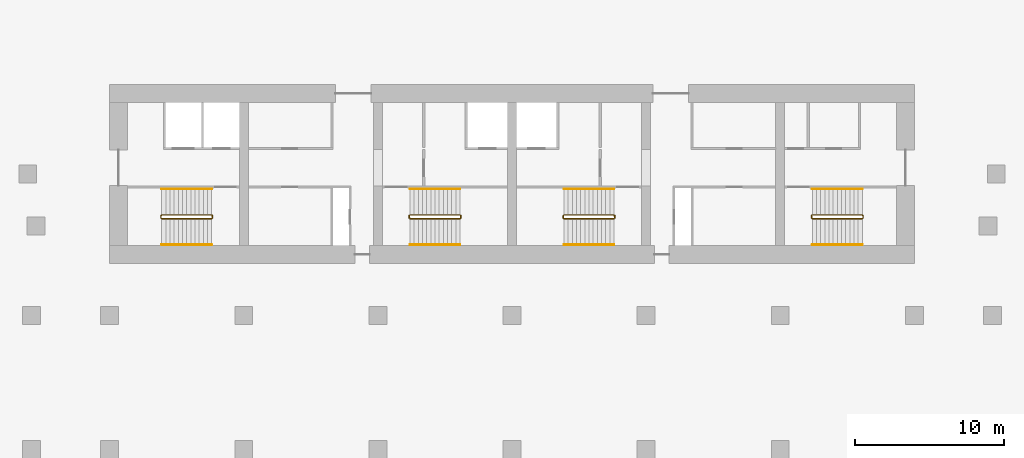
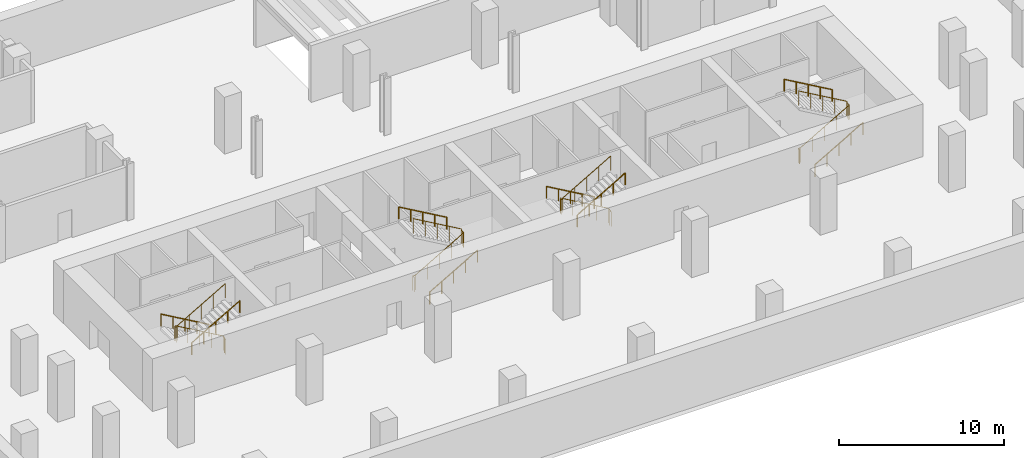
# One storey, part 5 of 5: 12 railings.
"""IFC4 building model written with IfcOpenShell, lengths in metres."""

from ifc_helpers import new_model, si_unit, direction, frame, origin, origin_2d, place, context, subcontext, project, spatial, circle, extrude, material, type_object, element, save


model = new_model("IFC4")

# Units and contexts
model_context = context("Model", 3, precision=1e-05, world=origin(), true_north=direction((0.0, 1.0)))
body_context = subcontext(model_context, "Body", "Model", "MODEL_VIEW")
ifc_project = project(units=[si_unit("LENGTHUNIT", "METRE"), si_unit("AREAUNIT", "SQUARE_METRE"), si_unit("VOLUMEUNIT", "CUBIC_METRE"), si_unit("PLANEANGLEUNIT", "RADIAN"), si_unit("MASSUNIT", "GRAM", prefix="KILO")], contexts=[model_context])

# Site, building, storey
site_placement = place(None, origin())
site = spatial("IfcSite", under=ifc_project, at=site_placement, CompositionType="ELEMENT")
building_placement = place(site_placement, origin())
building = spatial("IfcBuilding", under=site, at=building_placement, Name="Zellij Exchange Tower", CompositionType="ELEMENT")
storey_placement = place(building_placement, frame((0.0, 0.0, -8.39990234375)))
storey = spatial("IfcBuildingStorey", under=building, at=storey_placement, Name="B2", CompositionType="ELEMENT", Elevation=-8.39990234375)

# Railings
ifc_material = material(Name="Stainless steel", Category="steel")
railing_type_1 = type_object("IfcRailingType", Name="CORE-RG stair guard", PredefinedType="GUARDRAIL", material=ifc_material)
railing_1_placement = place(storey_placement, frame((-20.10009765625, -10.800048828125, 0.0)))
element("IfcRailing", 1, at=railing_1_placement, inside=storey, type_object=railing_type_1, Name="ST1 stair guard B2", PredefinedType="GUARDRAIL", context=body_context, shape_type="SweptSolid", body=[
    extrude(circle(Radius=0.02392578125, at=origin_2d()), frame((0.0, 0.0, 1.076171875), z_axis=(0.0, -1.0, 0.0), x_axis=(1.0, 0.0, 0.0)), (0.0, 0.0, 1.0), 0.14990234375),
    extrude(circle(Radius=0.02392578125, at=origin_2d()), frame((0.0, -0.14990234375, 1.076171875), z_axis=(-0.19028906928, 0.763954645788, 0.616573896051), x_axis=(-0.970351222016, -0.241699205484, 0.0)), (0.0, 0.0, 1.0), 0.26171875),
    extrude(circle(Radius=0.02392578125, at=origin_2d()), frame((-0.0498046875, 0.050048828125, 1.2373046875), z_axis=(-0.866190824863, 0.0, 0.499713372768), x_axis=(0.0, -1.0, 0.0)), (0.0, 0.0, 1.0), 3.879150390625),
    extrude(circle(Radius=0.02392578125, at=origin_2d()), frame((-3.409912109375, 0.050048828125, 3.17578125), z_axis=(-0.707106781187, -0.707106781187, 0.0), x_axis=(0.707106781187, -0.707106781187, 0.0)), (0.0, 0.0, 1.0), 0.07080078125),
    extrude(circle(Radius=0.02392578125, at=origin_2d()), frame((-3.4599609375, 0.0, 3.17578125), z_axis=(0.0, -1.0, 0.0), x_axis=(1.0, 0.0, 0.0)), (0.0, 0.0, 1.0), 0.14990234375),
    extrude(circle(Radius=0.02392578125, at=origin_2d()), frame((-3.4599609375, -0.14990234375, 3.17578125), z_axis=(0.283658853137, -0.283658853137, 0.916010540373), x_axis=(0.707106781187, 0.707106781187, 0.0)), (0.0, 0.0, 1.0), 0.176513671875),
    extrude(circle(Radius=0.02392578125, at=origin_2d()), frame((-3.409912109375, -0.199951171875, 3.33740234375), z_axis=(0.866190824863, 0.0, 0.499713372768), x_axis=(0.0, 1.0, 0.0)), (0.0, 0.0, 1.0), 3.879150390625),
    extrude(circle(Radius=0.02099609375, at=origin_2d()), origin(), (0.0, 0.0, 1.0), 1.052001953125),
    extrude(circle(Radius=0.02099609375, at=origin_2d()), frame((0.0, -0.14990234375, 0.0)), (0.0, 0.0, 1.0), 1.052001953125),
    extrude(circle(Radius=0.02099609375, at=origin_2d()), frame((-0.0498046875, 0.050048828125, 0.161376953125)), (0.0, 0.0, 1.0), 1.052001953125),
    extrude(circle(Radius=0.02099609375, at=origin_2d()), frame((-0.889892578125, 0.050048828125, 0.64599609375)), (0.0, 0.0, 1.0), 1.052001953125),
    extrude(circle(Radius=0.02099609375, at=origin_2d()), frame((-1.72998046875, 0.050048828125, 1.130615234375)), (0.0, 0.0, 1.0), 1.052001953125),
    extrude(circle(Radius=0.02099609375, at=origin_2d()), frame((-2.56982421875, 0.050048828125, 1.615234375)), (0.0, 0.0, 1.0), 1.052001953125),
    extrude(circle(Radius=0.02099609375, at=origin_2d()), frame((-3.409912109375, 0.050048828125, 2.099853515625)), (0.0, 0.0, 1.0), 1.052001953125),
    extrude(circle(Radius=0.02099609375, at=origin_2d()), frame((-3.4599609375, 0.0, 2.099853515625)), (0.0, 0.0, 1.0), 1.052001953125),
    extrude(circle(Radius=0.02099609375, at=origin_2d()), frame((-3.4599609375, -0.14990234375, 2.099853515625)), (0.0, 0.0, 1.0), 1.052001953125),
    extrude(circle(Radius=0.02099609375, at=origin_2d()), frame((-3.409912109375, -0.199951171875, 2.261474609375)), (0.0, 0.0, 1.0), 1.052001953125),
    extrude(circle(Radius=0.02099609375, at=origin_2d()), frame((-2.56982421875, -0.199951171875, 2.74609375)), (0.0, 0.0, 1.0), 1.052001953125),
    extrude(circle(Radius=0.02099609375, at=origin_2d()), frame((-1.72998046875, -0.199951171875, 3.230712890625)), (0.0, 0.0, 1.0), 1.052001953125),
    extrude(circle(Radius=0.02099609375, at=origin_2d()), frame((-0.889892578125, -0.199951171875, 3.71533203125)), (0.0, 0.0, 1.0), 1.052001953125),
    extrude(circle(Radius=0.02099609375, at=origin_2d()), frame((-0.0498046875, -0.199951171875, 4.199951171875)), (0.0, 0.0, 1.0), 1.052001953125),
])
railing_2_placement = place(storey_placement, frame((-6.89990234375, -10.949951171875, 0.0)))
element("IfcRailing", 2, at=railing_2_placement, inside=storey, type_object=railing_type_1, Name="ST2 stair guard B2", PredefinedType="GUARDRAIL", context=body_context, shape_type="SweptSolid", body=[
    extrude(circle(Radius=0.02392578125, at=origin_2d()), frame((0.0, 0.0, 1.076171875), z_axis=(0.0, 1.0, 0.0), x_axis=(-1.0, 0.0, 0.0)), (0.0, 0.0, 1.0), 0.14990234375),
    extrude(circle(Radius=0.02392578125, at=origin_2d()), frame((0.0, 0.14990234375, 1.076171875), z_axis=(0.19028906928, -0.763954645788, 0.616573896051), x_axis=(0.970351222016, 0.241699205484, 0.0)), (0.0, 0.0, 1.0), 0.26171875),
    extrude(circle(Radius=0.02392578125, at=origin_2d()), frame((0.0498046875, -0.050048828125, 1.2373046875), z_axis=(0.866190824863, 0.0, 0.499713372768), x_axis=(0.0, 1.0, 0.0)), (0.0, 0.0, 1.0), 3.879150390625),
    extrude(circle(Radius=0.02392578125, at=origin_2d()), frame((3.409912109375, -0.050048828125, 3.17578125), z_axis=(0.707106781187, 0.707106781187, 0.0), x_axis=(-0.707106781187, 0.707106781187, 0.0)), (0.0, 0.0, 1.0), 0.07080078125),
    extrude(circle(Radius=0.02392578125, at=origin_2d()), frame((3.4599609375, 0.0, 3.17578125), z_axis=(0.0, 1.0, 0.0), x_axis=(-1.0, 0.0, 0.0)), (0.0, 0.0, 1.0), 0.14990234375),
    extrude(circle(Radius=0.02392578125, at=origin_2d()), frame((3.4599609375, 0.14990234375, 3.17578125), z_axis=(-0.283658853137, 0.283658853137, 0.916010540373), x_axis=(-0.707106781187, -0.707106781187, 0.0)), (0.0, 0.0, 1.0), 0.176513671875),
    extrude(circle(Radius=0.02392578125, at=origin_2d()), frame((3.409912109375, 0.199951171875, 3.33740234375), z_axis=(-0.866190824863, 0.0, 0.499713372768), x_axis=(0.0, -1.0, 0.0)), (0.0, 0.0, 1.0), 3.879150390625),
    extrude(circle(Radius=0.02099609375, at=origin_2d()), origin(), (0.0, 0.0, 1.0), 1.052001953125),
    extrude(circle(Radius=0.02099609375, at=origin_2d()), frame((0.0, 0.14990234375, 0.0)), (0.0, 0.0, 1.0), 1.052001953125),
    extrude(circle(Radius=0.02099609375, at=origin_2d()), frame((0.0498046875, -0.050048828125, 0.161376953125)), (0.0, 0.0, 1.0), 1.052001953125),
    extrude(circle(Radius=0.02099609375, at=origin_2d()), frame((0.889892578125, -0.050048828125, 0.64599609375)), (0.0, 0.0, 1.0), 1.052001953125),
    extrude(circle(Radius=0.02099609375, at=origin_2d()), frame((1.72998046875, -0.050048828125, 1.130615234375)), (0.0, 0.0, 1.0), 1.052001953125),
    extrude(circle(Radius=0.02099609375, at=origin_2d()), frame((2.56982421875, -0.050048828125, 1.615234375)), (0.0, 0.0, 1.0), 1.052001953125),
    extrude(circle(Radius=0.02099609375, at=origin_2d()), frame((3.409912109375, -0.050048828125, 2.099853515625)), (0.0, 0.0, 1.0), 1.052001953125),
    extrude(circle(Radius=0.02099609375, at=origin_2d()), frame((3.4599609375, 0.0, 2.099853515625)), (0.0, 0.0, 1.0), 1.052001953125),
    extrude(circle(Radius=0.02099609375, at=origin_2d()), frame((3.4599609375, 0.14990234375, 2.099853515625)), (0.0, 0.0, 1.0), 1.052001953125),
    extrude(circle(Radius=0.02099609375, at=origin_2d()), frame((3.409912109375, 0.199951171875, 2.261474609375)), (0.0, 0.0, 1.0), 1.052001953125),
    extrude(circle(Radius=0.02099609375, at=origin_2d()), frame((2.56982421875, 0.199951171875, 2.74609375)), (0.0, 0.0, 1.0), 1.052001953125),
    extrude(circle(Radius=0.02099609375, at=origin_2d()), frame((1.72998046875, 0.199951171875, 3.230712890625)), (0.0, 0.0, 1.0), 1.052001953125),
    extrude(circle(Radius=0.02099609375, at=origin_2d()), frame((0.889892578125, 0.199951171875, 3.71533203125)), (0.0, 0.0, 1.0), 1.052001953125),
    extrude(circle(Radius=0.02099609375, at=origin_2d()), frame((0.0498046875, 0.199951171875, 4.199951171875)), (0.0, 0.0, 1.0), 1.052001953125),
])
railing_3_placement = place(storey_placement, frame((6.89990234375, -10.800048828125, 0.0)))
element("IfcRailing", 3, at=railing_3_placement, inside=storey, type_object=railing_type_1, Name="ST3 stair guard B2", PredefinedType="GUARDRAIL", context=body_context, shape_type="SweptSolid", body=[
    extrude(circle(Radius=0.02392578125, at=origin_2d()), frame((0.0, 0.0, 1.076171875), z_axis=(0.0, -1.0, 0.0), x_axis=(1.0, 0.0, 0.0)), (0.0, 0.0, 1.0), 0.14990234375),
    extrude(circle(Radius=0.02392578125, at=origin_2d()), frame((0.0, -0.14990234375, 1.076171875), z_axis=(-0.19028906928, 0.763954645788, 0.616573896051), x_axis=(-0.970351222016, -0.241699205484, 0.0)), (0.0, 0.0, 1.0), 0.26171875),
    extrude(circle(Radius=0.02392578125, at=origin_2d()), frame((-0.0498046875, 0.050048828125, 1.2373046875), z_axis=(-0.866190824863, 0.0, 0.499713372768), x_axis=(0.0, -1.0, 0.0)), (0.0, 0.0, 1.0), 3.879150390625),
    extrude(circle(Radius=0.02392578125, at=origin_2d()), frame((-3.409912109375, 0.050048828125, 3.17578125), z_axis=(-0.707106781187, -0.707106781187, 0.0), x_axis=(0.707106781187, -0.707106781187, 0.0)), (0.0, 0.0, 1.0), 0.07080078125),
    extrude(circle(Radius=0.02392578125, at=origin_2d()), frame((-3.4599609375, 0.0, 3.17578125), z_axis=(0.0, -1.0, 0.0), x_axis=(1.0, 0.0, 0.0)), (0.0, 0.0, 1.0), 0.14990234375),
    extrude(circle(Radius=0.02392578125, at=origin_2d()), frame((-3.4599609375, -0.14990234375, 3.17578125), z_axis=(0.283658853137, -0.283658853137, 0.916010540373), x_axis=(0.707106781187, 0.707106781187, 0.0)), (0.0, 0.0, 1.0), 0.176513671875),
    extrude(circle(Radius=0.02392578125, at=origin_2d()), frame((-3.409912109375, -0.199951171875, 3.33740234375), z_axis=(0.866190824863, 0.0, 0.499713372768), x_axis=(0.0, 1.0, 0.0)), (0.0, 0.0, 1.0), 3.879150390625),
    extrude(circle(Radius=0.02099609375, at=origin_2d()), origin(), (0.0, 0.0, 1.0), 1.052001953125),
    extrude(circle(Radius=0.02099609375, at=origin_2d()), frame((0.0, -0.14990234375, 0.0)), (0.0, 0.0, 1.0), 1.052001953125),
    extrude(circle(Radius=0.02099609375, at=origin_2d()), frame((-0.0498046875, 0.050048828125, 0.161376953125)), (0.0, 0.0, 1.0), 1.052001953125),
    extrude(circle(Radius=0.02099609375, at=origin_2d()), frame((-0.889892578125, 0.050048828125, 0.64599609375)), (0.0, 0.0, 1.0), 1.052001953125),
    extrude(circle(Radius=0.02099609375, at=origin_2d()), frame((-1.72998046875, 0.050048828125, 1.130615234375)), (0.0, 0.0, 1.0), 1.052001953125),
    extrude(circle(Radius=0.02099609375, at=origin_2d()), frame((-2.56982421875, 0.050048828125, 1.615234375)), (0.0, 0.0, 1.0), 1.052001953125),
    extrude(circle(Radius=0.02099609375, at=origin_2d()), frame((-3.409912109375, 0.050048828125, 2.099853515625)), (0.0, 0.0, 1.0), 1.052001953125),
    extrude(circle(Radius=0.02099609375, at=origin_2d()), frame((-3.4599609375, 0.0, 2.099853515625)), (0.0, 0.0, 1.0), 1.052001953125),
    extrude(circle(Radius=0.02099609375, at=origin_2d()), frame((-3.4599609375, -0.14990234375, 2.099853515625)), (0.0, 0.0, 1.0), 1.052001953125),
    extrude(circle(Radius=0.02099609375, at=origin_2d()), frame((-3.409912109375, -0.199951171875, 2.261474609375)), (0.0, 0.0, 1.0), 1.052001953125),
    extrude(circle(Radius=0.02099609375, at=origin_2d()), frame((-2.56982421875, -0.199951171875, 2.74609375)), (0.0, 0.0, 1.0), 1.052001953125),
    extrude(circle(Radius=0.02099609375, at=origin_2d()), frame((-1.72998046875, -0.199951171875, 3.230712890625)), (0.0, 0.0, 1.0), 1.052001953125),
    extrude(circle(Radius=0.02099609375, at=origin_2d()), frame((-0.889892578125, -0.199951171875, 3.71533203125)), (0.0, 0.0, 1.0), 1.052001953125),
    extrude(circle(Radius=0.02099609375, at=origin_2d()), frame((-0.0498046875, -0.199951171875, 4.199951171875)), (0.0, 0.0, 1.0), 1.052001953125),
])
railing_4_placement = place(storey_placement, frame((20.10009765625, -10.949951171875, 0.0)))
element("IfcRailing", 4, at=railing_4_placement, inside=storey, type_object=railing_type_1, Name="ST4 stair guard B2", PredefinedType="GUARDRAIL", context=body_context, shape_type="SweptSolid", body=[
    extrude(circle(Radius=0.02392578125, at=origin_2d()), frame((0.0, 0.0, 1.076171875), z_axis=(0.0, 1.0, 0.0), x_axis=(-1.0, 0.0, 0.0)), (0.0, 0.0, 1.0), 0.14990234375),
    extrude(circle(Radius=0.02392578125, at=origin_2d()), frame((0.0, 0.14990234375, 1.076171875), z_axis=(0.19028906928, -0.763954645788, 0.616573896051), x_axis=(0.970351222016, 0.241699205484, 0.0)), (0.0, 0.0, 1.0), 0.26171875),
    extrude(circle(Radius=0.02392578125, at=origin_2d()), frame((0.0498046875, -0.050048828125, 1.2373046875), z_axis=(0.866190824863, 0.0, 0.499713372768), x_axis=(0.0, 1.0, 0.0)), (0.0, 0.0, 1.0), 3.879150390625),
    extrude(circle(Radius=0.02392578125, at=origin_2d()), frame((3.409912109375, -0.050048828125, 3.17578125), z_axis=(0.707106781187, 0.707106781187, 0.0), x_axis=(-0.707106781187, 0.707106781187, 0.0)), (0.0, 0.0, 1.0), 0.07080078125),
    extrude(circle(Radius=0.02392578125, at=origin_2d()), frame((3.4599609375, 0.0, 3.17578125), z_axis=(0.0, 1.0, 0.0), x_axis=(-1.0, 0.0, 0.0)), (0.0, 0.0, 1.0), 0.14990234375),
    extrude(circle(Radius=0.02392578125, at=origin_2d()), frame((3.4599609375, 0.14990234375, 3.17578125), z_axis=(-0.283658853137, 0.283658853137, 0.916010540373), x_axis=(-0.707106781187, -0.707106781187, 0.0)), (0.0, 0.0, 1.0), 0.176513671875),
    extrude(circle(Radius=0.02392578125, at=origin_2d()), frame((3.409912109375, 0.199951171875, 3.33740234375), z_axis=(-0.866190824863, 0.0, 0.499713372768), x_axis=(0.0, -1.0, 0.0)), (0.0, 0.0, 1.0), 3.879150390625),
    extrude(circle(Radius=0.02099609375, at=origin_2d()), origin(), (0.0, 0.0, 1.0), 1.052001953125),
    extrude(circle(Radius=0.02099609375, at=origin_2d()), frame((0.0, 0.14990234375, 0.0)), (0.0, 0.0, 1.0), 1.052001953125),
    extrude(circle(Radius=0.02099609375, at=origin_2d()), frame((0.0498046875, -0.050048828125, 0.161376953125)), (0.0, 0.0, 1.0), 1.052001953125),
    extrude(circle(Radius=0.02099609375, at=origin_2d()), frame((0.889892578125, -0.050048828125, 0.64599609375)), (0.0, 0.0, 1.0), 1.052001953125),
    extrude(circle(Radius=0.02099609375, at=origin_2d()), frame((1.72998046875, -0.050048828125, 1.130615234375)), (0.0, 0.0, 1.0), 1.052001953125),
    extrude(circle(Radius=0.02099609375, at=origin_2d()), frame((2.56982421875, -0.050048828125, 1.615234375)), (0.0, 0.0, 1.0), 1.052001953125),
    extrude(circle(Radius=0.02099609375, at=origin_2d()), frame((3.409912109375, -0.050048828125, 2.099853515625)), (0.0, 0.0, 1.0), 1.052001953125),
    extrude(circle(Radius=0.02099609375, at=origin_2d()), frame((3.4599609375, 0.0, 2.099853515625)), (0.0, 0.0, 1.0), 1.052001953125),
    extrude(circle(Radius=0.02099609375, at=origin_2d()), frame((3.4599609375, 0.14990234375, 2.099853515625)), (0.0, 0.0, 1.0), 1.052001953125),
    extrude(circle(Radius=0.02099609375, at=origin_2d()), frame((3.409912109375, 0.199951171875, 2.261474609375)), (0.0, 0.0, 1.0), 1.052001953125),
    extrude(circle(Radius=0.02099609375, at=origin_2d()), frame((2.56982421875, 0.199951171875, 2.74609375)), (0.0, 0.0, 1.0), 1.052001953125),
    extrude(circle(Radius=0.02099609375, at=origin_2d()), frame((1.72998046875, 0.199951171875, 3.230712890625)), (0.0, 0.0, 1.0), 1.052001953125),
    extrude(circle(Radius=0.02099609375, at=origin_2d()), frame((0.889892578125, 0.199951171875, 3.71533203125)), (0.0, 0.0, 1.0), 1.052001953125),
    extrude(circle(Radius=0.02099609375, at=origin_2d()), frame((0.0498046875, 0.199951171875, 4.199951171875)), (0.0, 0.0, 1.0), 1.052001953125),
])
railing_type_2 = type_object("IfcRailingType", Name="CORE-RH stair handrail", PredefinedType="HANDRAIL", material=ifc_material)
railing_5_placement = place(storey_placement, frame((-20.14990234375, -9.0, 0.161376953125)))
element("IfcRailing", 5, at=railing_5_placement, inside=storey, type_object=railing_type_2, Name="ST1 stair handrail B2", PredefinedType="HANDRAIL", context=body_context, shape_type="SweptSolid", body=[
    extrude(circle(Radius=0.02392578125, at=origin_2d()), frame((0.0, 0.0, 0.8759765625), z_axis=(-0.866190824863, 0.0, 0.499713372768), x_axis=(0.0, -1.0, 0.0)), (0.0, 0.0, 1.0), 3.879150390625),
    extrude(circle(Radius=0.02099609375, at=origin_2d()), origin(), (0.0, 0.0, 1.0), 0.851806640625),
    extrude(circle(Radius=0.02099609375, at=origin_2d()), frame((-0.840087890625, 0.0, 0.484619140625)), (0.0, 0.0, 1.0), 0.851806640625),
    extrude(circle(Radius=0.02099609375, at=origin_2d()), frame((-1.68017578125, 0.0, 0.96923828125)), (0.0, 0.0, 1.0), 0.851806640625),
    extrude(circle(Radius=0.02099609375, at=origin_2d()), frame((-2.52001953125, 0.0, 1.453857421875)), (0.0, 0.0, 1.0), 0.851806640625),
    extrude(circle(Radius=0.02099609375, at=origin_2d()), frame((-3.360107421875, 0.0, 1.9384765625)), (0.0, 0.0, 1.0), 0.851806640625),
])
for number, where, name in (
    (6, (-23.510009765625, -12.75, 2.261474609375), "ST1 stair handrail B2"),
    (7, (-6.85009765625, -12.75, 0.161376953125), "ST2 stair handrail B2"),
):
    element("IfcRailing", number, at=place(storey_placement, frame(where)), inside=storey, type_object=railing_type_2, Name=name, PredefinedType="HANDRAIL", context=body_context, shape_type="SweptSolid", body=[
        extrude(circle(Radius=0.02392578125, at=origin_2d()), frame((0.0, 0.0, 0.8759765625), z_axis=(0.866190824863, 0.0, 0.499713372768), x_axis=(0.0, 1.0, 0.0)), (0.0, 0.0, 1.0), 3.879150390625),
        extrude(circle(Radius=0.02099609375, at=origin_2d()), origin(), (0.0, 0.0, 1.0), 0.851806640625),
        extrude(circle(Radius=0.02099609375, at=origin_2d()), frame((0.840087890625, 0.0, 0.484619140625)), (0.0, 0.0, 1.0), 0.851806640625),
        extrude(circle(Radius=0.02099609375, at=origin_2d()), frame((1.68017578125, 0.0, 0.96923828125)), (0.0, 0.0, 1.0), 0.851806640625),
        extrude(circle(Radius=0.02099609375, at=origin_2d()), frame((2.52001953125, 0.0, 1.453857421875)), (0.0, 0.0, 1.0), 0.851806640625),
        extrude(circle(Radius=0.02099609375, at=origin_2d()), frame((3.360107421875, 0.0, 1.9384765625)), (0.0, 0.0, 1.0), 0.851806640625),
    ])
for number, where, name in (
    (8, (-3.489990234375, -9.0, 2.261474609375), "ST2 stair handrail B2"),
    (9, (6.85009765625, -9.0, 0.161376953125), "ST3 stair handrail B2"),
):
    element("IfcRailing", number, at=place(storey_placement, frame(where)), inside=storey, type_object=railing_type_2, Name=name, PredefinedType="HANDRAIL", context=body_context, shape_type="SweptSolid", body=[
        extrude(circle(Radius=0.02392578125, at=origin_2d()), frame((0.0, 0.0, 0.8759765625), z_axis=(-0.866190824863, 0.0, 0.499713372768), x_axis=(0.0, -1.0, 0.0)), (0.0, 0.0, 1.0), 3.879150390625),
        extrude(circle(Radius=0.02099609375, at=origin_2d()), origin(), (0.0, 0.0, 1.0), 0.851806640625),
        extrude(circle(Radius=0.02099609375, at=origin_2d()), frame((-0.840087890625, 0.0, 0.484619140625)), (0.0, 0.0, 1.0), 0.851806640625),
        extrude(circle(Radius=0.02099609375, at=origin_2d()), frame((-1.68017578125, 0.0, 0.96923828125)), (0.0, 0.0, 1.0), 0.851806640625),
        extrude(circle(Radius=0.02099609375, at=origin_2d()), frame((-2.52001953125, 0.0, 1.453857421875)), (0.0, 0.0, 1.0), 0.851806640625),
        extrude(circle(Radius=0.02099609375, at=origin_2d()), frame((-3.360107421875, 0.0, 1.9384765625)), (0.0, 0.0, 1.0), 0.851806640625),
    ])
for number, where, name in (
    (10, (3.489990234375, -12.75, 2.261474609375), "ST3 stair handrail B2"),
    (11, (20.14990234375, -12.75, 0.161376953125), "ST4 stair handrail B2"),
):
    element("IfcRailing", number, at=place(storey_placement, frame(where)), inside=storey, type_object=railing_type_2, Name=name, PredefinedType="HANDRAIL", context=body_context, shape_type="SweptSolid", body=[
        extrude(circle(Radius=0.02392578125, at=origin_2d()), frame((0.0, 0.0, 0.8759765625), z_axis=(0.866190824863, 0.0, 0.499713372768), x_axis=(0.0, 1.0, 0.0)), (0.0, 0.0, 1.0), 3.879150390625),
        extrude(circle(Radius=0.02099609375, at=origin_2d()), origin(), (0.0, 0.0, 1.0), 0.851806640625),
        extrude(circle(Radius=0.02099609375, at=origin_2d()), frame((0.840087890625, 0.0, 0.484619140625)), (0.0, 0.0, 1.0), 0.851806640625),
        extrude(circle(Radius=0.02099609375, at=origin_2d()), frame((1.68017578125, 0.0, 0.96923828125)), (0.0, 0.0, 1.0), 0.851806640625),
        extrude(circle(Radius=0.02099609375, at=origin_2d()), frame((2.52001953125, 0.0, 1.453857421875)), (0.0, 0.0, 1.0), 0.851806640625),
        extrude(circle(Radius=0.02099609375, at=origin_2d()), frame((3.360107421875, 0.0, 1.9384765625)), (0.0, 0.0, 1.0), 0.851806640625),
    ])
railing_6_placement = place(storey_placement, frame((23.510009765625, -9.0, 2.261474609375)))
element("IfcRailing", 12, at=railing_6_placement, inside=storey, type_object=railing_type_2, Name="ST4 stair handrail B2", PredefinedType="HANDRAIL", context=body_context, shape_type="SweptSolid", body=[
    extrude(circle(Radius=0.02392578125, at=origin_2d()), frame((0.0, 0.0, 0.8759765625), z_axis=(-0.866190824863, 0.0, 0.499713372768), x_axis=(0.0, -1.0, 0.0)), (0.0, 0.0, 1.0), 3.879150390625),
    extrude(circle(Radius=0.02099609375, at=origin_2d()), origin(), (0.0, 0.0, 1.0), 0.851806640625),
    extrude(circle(Radius=0.02099609375, at=origin_2d()), frame((-0.840087890625, 0.0, 0.484619140625)), (0.0, 0.0, 1.0), 0.851806640625),
    extrude(circle(Radius=0.02099609375, at=origin_2d()), frame((-1.68017578125, 0.0, 0.96923828125)), (0.0, 0.0, 1.0), 0.851806640625),
    extrude(circle(Radius=0.02099609375, at=origin_2d()), frame((-2.52001953125, 0.0, 1.453857421875)), (0.0, 0.0, 1.0), 0.851806640625),
    extrude(circle(Radius=0.02099609375, at=origin_2d()), frame((-3.360107421875, 0.0, 1.9384765625)), (0.0, 0.0, 1.0), 0.851806640625),
])

save(model, "model.ifc")
